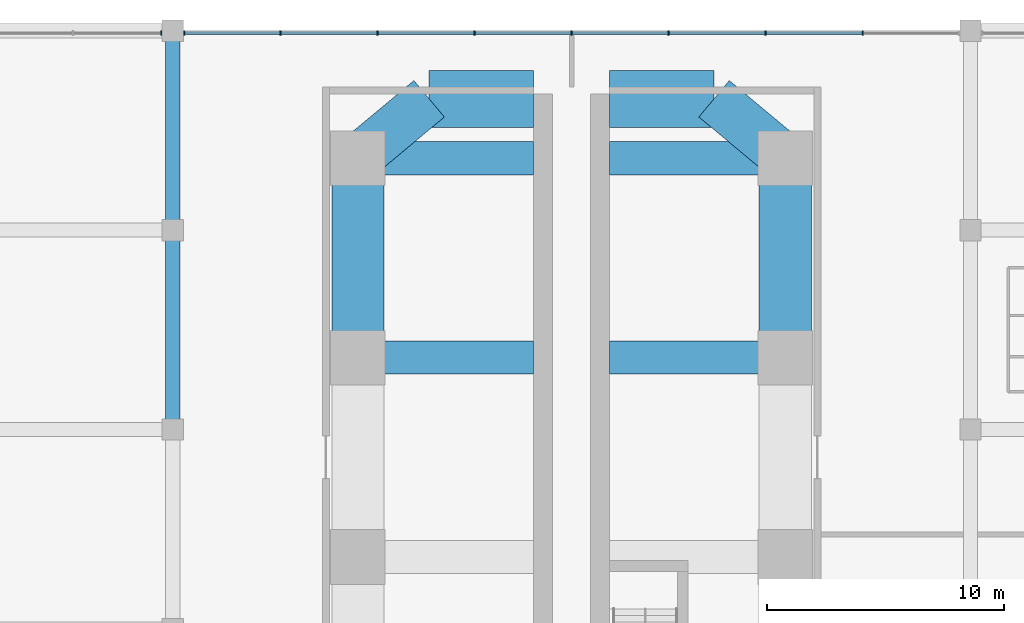
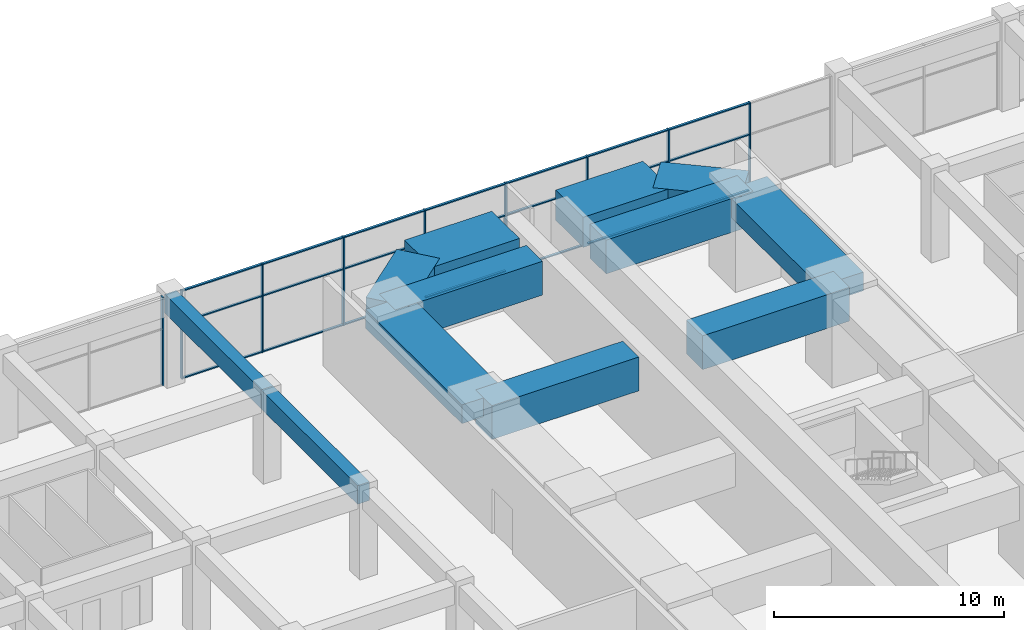
# One storey, part 19 of 34: 30 members, 12 beams, 2 elements without a shape of their own.
"""IFC4 building model written with IfcOpenShell, lengths in metres."""

from ifc_helpers import new_model, si_unit, direction, frame, origin, origin_2d, place, context, subcontext, project, spatial, rectangle, extrude, material, material_profile, profile_set, type_object, element, aggregate, save


model = new_model("IFC4")

# Units and contexts
model_context = context("Model", 3, precision=1e-05, world=origin(), true_north=direction((0.0, 1.0)))
body_context = subcontext(model_context, "Body", "Model", "MODEL_VIEW")
ifc_project = project(units=[si_unit("LENGTHUNIT", "METRE"), si_unit("AREAUNIT", "SQUARE_METRE"), si_unit("VOLUMEUNIT", "CUBIC_METRE"), si_unit("PLANEANGLEUNIT", "RADIAN"), si_unit("MASSUNIT", "GRAM", prefix="KILO")], contexts=[model_context])

# Site, building, storey
site_placement = place(None, origin())
site = spatial("IfcSite", under=ifc_project, at=site_placement, CompositionType="ELEMENT")
building_placement = place(site_placement, origin())
building = spatial("IfcBuilding", under=site, at=building_placement, Name="Impinga Residences", CompositionType="ELEMENT")
storey_placement = place(building_placement, frame((0.0, 0.0, 11.0)))
storey = spatial("IfcBuildingStorey", under=building, at=storey_placement, Name="L02", CompositionType="ELEMENT", Elevation=11.0)

# Beams
ifc_material_1 = material(Name="Concrete C60/75", Category="concrete")
ifc_material_profile_1 = material_profile(ifc_material_1, rectangle(XDim=2.0, YDim=1.60009765625, at=origin_2d()), Name="RC 2000x1600")
ifc_profile_set_1 = profile_set([ifc_material_profile_1], Name="Concrete C60/75")
beam_type_1 = type_object("IfcBeamType", Name="CB2 2000x1600 wing end cantilever beam", PredefinedType="BEAM", material=ifc_profile_set_1)
for number, where, z_axis, x_axis, name in (
    (1, (-9.0, 45.031494140625, 3.89990234375), (0.768221279597, 0.640184399664, 0.0), (-0.640184399664, 0.768221279597, 0.0), "Beam CB2 NB N5-NX level L03"),
    (2, (9.0, 45.031494140625, 3.89990234375), (-0.768221279597, 0.640184399664, 0.0), (-0.640184399664, -0.768221279597, 0.0), "Beam CB2 NE N5-NX level L03"),
):
    element("IfcBeam", number, at=place(storey_placement, frame(where, z_axis=z_axis, x_axis=x_axis)), inside=storey, type_object=beam_type_1, Name=name, PredefinedType="BEAM", context=body_context, shape_type="SweptSolid", body=[
        extrude(rectangle(XDim=2.0, YDim=1.60009765625, at=origin_2d()), origin(), (0.0, 0.0, 1.0), 3.905029296875),
    ])
ifc_material_profile_2 = material_profile(ifc_material_1, rectangle(XDim=1.39990234375, YDim=1.800048828125, at=origin_2d()), Name="RC 1400x1800")
ifc_profile_set_2 = profile_set([ifc_material_profile_2], Name="Concrete C60/75")
beam_type_2 = type_object("IfcBeamType", Name="CG4 1400x1800 cross girder on a wing bay line under the podium floors", PredefinedType="BEAM", material=ifc_profile_set_2)
for number, where, z_axis, x_axis, name in (
    (3, (-1.60009765625, 36.631591796875, 3.800048828125), (-1.0, 0.0, 0.0), (0.0, -1.0, 0.0), "Beam CG4 N4 NC/NA level L03"),
    (4, (-1.60009765625, 45.031494140625, 3.800048828125), (-1.0, 0.0, 0.0), (0.0, -1.0, 0.0), "Beam CG4 N5 NC/NA level L03"),
    (5, (1.60009765625, 36.631591796875, 3.800048828125), (1.0, 0.0, 0.0), (0.0, 1.0, 0.0), "Beam CG4 N4 NC/NF level L03"),
    (6, (1.60009765625, 45.031494140625, 3.800048828125), (1.0, 0.0, 0.0), (0.0, 1.0, 0.0), "Beam CG4 N5 NC/NF level L03"),
):
    element("IfcBeam", number, at=place(storey_placement, frame(where, z_axis=z_axis, x_axis=x_axis)), inside=storey, type_object=beam_type_2, Name=name, PredefinedType="BEAM", context=body_context, shape_type="SweptSolid", body=[
        extrude(rectangle(XDim=1.39990234375, YDim=1.800048828125, at=origin_2d()), origin(), (0.0, 0.0, 1.0), 7.39990234375),
    ])

# Curtain wall, member
ifc_material_2 = material(Name="Aluminium stick curtain wall", Category="aluminium")
curtain_wall_type = type_object("IfcCurtainWallType", Name="CW1 podium amenity curtain wall", PredefinedType="USERDEFINED", material=ifc_material_2)
curtain_wall_1_placement = place(storey_placement, origin())
curtain_wall_1 = element("IfcCurtainWall", 7, at=curtain_wall_1_placement, inside=storey, type_object=curtain_wall_type, Name="Curtain wall CW1 L02", ObjectType="STICK CURTAIN WALL", PredefinedType="USERDEFINED")
ifc_material_3 = material(Name="Aluminium mullion", Category="aluminium")
ifc_material_profile_3 = material_profile(ifc_material_3, rectangle(XDim=0.06005859375, YDim=0.179931640625, at=origin_2d()), Name="60x180 mullion")
ifc_profile_set_3 = profile_set([ifc_material_profile_3], Name="Aluminium mullion")
member_type_1 = type_object("IfcMemberType", Name="CW1-M mullion 60x180", PredefinedType="MULLION", material=ifc_profile_set_3)
member_1_placement = place(storey_placement, frame((-17.282958984375, 50.300048828125, 0.0), z_axis=(0.0, 0.0, 1.0), x_axis=(1.0, 0.0, 0.0)))
member_1 = element("IfcMember", 8, at=member_1_placement, type_object=member_type_1, Name="CW1 mullion 3", PredefinedType="MULLION", context=body_context, shape_type="SweptSolid", body=[
    extrude(rectangle(XDim=0.06005859375, YDim=0.179931640625, at=origin_2d()), origin(), (0.0, 0.0, 1.0), 4.699951171875),
])
aggregate(curtain_wall_1, [member_1])

# Curtain wall, members
curtain_wall_2_placement = place(storey_placement, origin())
curtain_wall_2 = element("IfcCurtainWall", 9, at=curtain_wall_2_placement, inside=storey, type_object=curtain_wall_type, Name="Curtain wall CW1 L02", ObjectType="STICK CURTAIN WALL", PredefinedType="USERDEFINED")
member_2_placement = place(storey_placement, frame((-16.31689453125, 50.300048828125, 0.0), z_axis=(0.0, 0.0, 1.0), x_axis=(1.0, 0.0, 0.0)))
member_2 = element("IfcMember", 10, at=member_2_placement, type_object=member_type_1, Name="CW1 mullion 1", PredefinedType="MULLION", context=body_context, shape_type="SweptSolid", body=[
    extrude(rectangle(XDim=0.06005859375, YDim=0.179931640625, at=origin_2d()), origin(), (0.0, 0.0, 1.0), 4.699951171875),
])
member_3_placement = place(storey_placement, frame((-12.26025390625, 50.300048828125, 0.0), z_axis=(0.0, 0.0, 1.0), x_axis=(1.0, 0.0, 0.0)))
member_3 = element("IfcMember", 11, at=member_3_placement, type_object=member_type_1, Name="CW1 mullion 2", PredefinedType="MULLION", context=body_context, shape_type="SweptSolid", body=[
    extrude(rectangle(XDim=0.06005859375, YDim=0.179931640625, at=origin_2d()), origin(), (0.0, 0.0, 1.0), 4.699951171875),
])
member_4_placement = place(storey_placement, frame((-8.173583984375, 50.300048828125, 0.0), z_axis=(0.0, 0.0, 1.0), x_axis=(1.0, 0.0, 0.0)))
member_4 = element("IfcMember", 12, at=member_4_placement, type_object=member_type_1, Name="CW1 mullion 3", PredefinedType="MULLION", context=body_context, shape_type="SweptSolid", body=[
    extrude(rectangle(XDim=0.06005859375, YDim=0.179931640625, at=origin_2d()), origin(), (0.0, 0.0, 1.0), 4.699951171875),
])
member_5_placement = place(storey_placement, frame((-4.086669921875, 50.300048828125, 0.0), z_axis=(0.0, 0.0, 1.0), x_axis=(1.0, 0.0, 0.0)))
member_5 = element("IfcMember", 13, at=member_5_placement, type_object=member_type_1, Name="CW1 mullion 4", PredefinedType="MULLION", context=body_context, shape_type="SweptSolid", body=[
    extrude(rectangle(XDim=0.06005859375, YDim=0.179931640625, at=origin_2d()), origin(), (0.0, 0.0, 1.0), 4.699951171875),
])
member_6_placement = place(storey_placement, frame((0.0, 50.300048828125, 0.0), z_axis=(0.0, 0.0, 1.0), x_axis=(1.0, 0.0, 0.0)))
member_6 = element("IfcMember", 14, at=member_6_placement, type_object=member_type_1, Name="CW1 mullion 5", PredefinedType="MULLION", context=body_context, shape_type="SweptSolid", body=[
    extrude(rectangle(XDim=0.06005859375, YDim=0.179931640625, at=origin_2d()), origin(), (0.0, 0.0, 1.0), 4.699951171875),
])
member_7_placement = place(storey_placement, frame((4.086669921875, 50.300048828125, 0.0), z_axis=(0.0, 0.0, 1.0), x_axis=(1.0, 0.0, 0.0)))
member_7 = element("IfcMember", 15, at=member_7_placement, type_object=member_type_1, Name="CW1 mullion 6", PredefinedType="MULLION", context=body_context, shape_type="SweptSolid", body=[
    extrude(rectangle(XDim=0.06005859375, YDim=0.179931640625, at=origin_2d()), origin(), (0.0, 0.0, 1.0), 4.699951171875),
])
member_8_placement = place(storey_placement, frame((8.173583984375, 50.300048828125, 0.0), z_axis=(0.0, 0.0, 1.0), x_axis=(1.0, 0.0, 0.0)))
member_8 = element("IfcMember", 16, at=member_8_placement, type_object=member_type_1, Name="CW1 mullion 7", PredefinedType="MULLION", context=body_context, shape_type="SweptSolid", body=[
    extrude(rectangle(XDim=0.06005859375, YDim=0.179931640625, at=origin_2d()), origin(), (0.0, 0.0, 1.0), 4.699951171875),
])
member_9_placement = place(storey_placement, frame((12.26025390625, 50.300048828125, 0.0), z_axis=(0.0, 0.0, 1.0), x_axis=(1.0, 0.0, 0.0)))
member_9 = element("IfcMember", 17, at=member_9_placement, type_object=member_type_1, Name="CW1 mullion 8", PredefinedType="MULLION", context=body_context, shape_type="SweptSolid", body=[
    extrude(rectangle(XDim=0.06005859375, YDim=0.179931640625, at=origin_2d()), origin(), (0.0, 0.0, 1.0), 4.699951171875),
])
ifc_material_4 = material(Name="Aluminium transom", Category="aluminium")
ifc_material_profile_4 = material_profile(ifc_material_4, rectangle(XDim=0.06005859375, YDim=0.1201171875, at=origin_2d()), Name="60x120 transom")
ifc_profile_set_4 = profile_set([ifc_material_profile_4], Name="Aluminium transom")
member_type_2 = type_object("IfcMemberType", Name="CW1-T transom 60x120", PredefinedType="USERDEFINED", material=ifc_profile_set_4)
member_10_placement = place(storey_placement, frame((-16.287109375, 50.300048828125, 0.030029296875), z_axis=(1.0, 0.0, 0.0), x_axis=(0.0, 0.0, 1.0)))
member_10 = element("IfcMember", 18, at=member_10_placement, type_object=member_type_2, Name="CW1 transom 1.1", ObjectType="TRANSOM", PredefinedType="USERDEFINED", context=body_context, shape_type="SweptSolid", body=[
    extrude(rectangle(XDim=0.06005859375, YDim=0.1201171875, at=origin_2d()), origin(), (0.0, 0.0, 1.0), 3.996826171875),
])
member_11_placement = place(storey_placement, frame((-16.287109375, 50.300048828125, 3.0), z_axis=(1.0, 0.0, 0.0), x_axis=(0.0, 0.0, 1.0)))
member_11 = element("IfcMember", 19, at=member_11_placement, type_object=member_type_2, Name="CW1 transom 1.2", ObjectType="TRANSOM", PredefinedType="USERDEFINED", context=body_context, shape_type="SweptSolid", body=[
    extrude(rectangle(XDim=0.06005859375, YDim=0.1201171875, at=origin_2d()), origin(), (0.0, 0.0, 1.0), 3.996826171875),
])
member_12_placement = place(storey_placement, frame((-16.287109375, 50.300048828125, 4.669921875), z_axis=(1.0, 0.0, 0.0), x_axis=(0.0, 0.0, 1.0)))
member_12 = element("IfcMember", 20, at=member_12_placement, type_object=member_type_2, Name="CW1 transom 1.3", ObjectType="TRANSOM", PredefinedType="USERDEFINED", context=body_context, shape_type="SweptSolid", body=[
    extrude(rectangle(XDim=0.06005859375, YDim=0.1201171875, at=origin_2d()), origin(), (0.0, 0.0, 1.0), 3.996826171875),
])
member_13_placement = place(storey_placement, frame((-12.230224609375, 50.300048828125, 0.030029296875), z_axis=(1.0, 0.0, 0.0), x_axis=(0.0, 0.0, 1.0)))
member_13 = element("IfcMember", 21, at=member_13_placement, type_object=member_type_2, Name="CW1 transom 2.1", ObjectType="TRANSOM", PredefinedType="USERDEFINED", context=body_context, shape_type="SweptSolid", body=[
    extrude(rectangle(XDim=0.06005859375, YDim=0.1201171875, at=origin_2d()), origin(), (0.0, 0.0, 1.0), 4.026611328125),
])
member_14_placement = place(storey_placement, frame((-12.230224609375, 50.300048828125, 3.0), z_axis=(1.0, 0.0, 0.0), x_axis=(0.0, 0.0, 1.0)))
member_14 = element("IfcMember", 22, at=member_14_placement, type_object=member_type_2, Name="CW1 transom 2.2", ObjectType="TRANSOM", PredefinedType="USERDEFINED", context=body_context, shape_type="SweptSolid", body=[
    extrude(rectangle(XDim=0.06005859375, YDim=0.1201171875, at=origin_2d()), origin(), (0.0, 0.0, 1.0), 4.026611328125),
])
member_15_placement = place(storey_placement, frame((-12.230224609375, 50.300048828125, 4.669921875), z_axis=(1.0, 0.0, 0.0), x_axis=(0.0, 0.0, 1.0)))
member_15 = element("IfcMember", 23, at=member_15_placement, type_object=member_type_2, Name="CW1 transom 2.3", ObjectType="TRANSOM", PredefinedType="USERDEFINED", context=body_context, shape_type="SweptSolid", body=[
    extrude(rectangle(XDim=0.06005859375, YDim=0.1201171875, at=origin_2d()), origin(), (0.0, 0.0, 1.0), 4.026611328125),
])
member_16_placement = place(storey_placement, frame((-8.1435546875, 50.300048828125, 0.030029296875), z_axis=(1.0, 0.0, 0.0), x_axis=(0.0, 0.0, 1.0)))
member_16 = element("IfcMember", 24, at=member_16_placement, type_object=member_type_2, Name="CW1 transom 3.1", ObjectType="TRANSOM", PredefinedType="USERDEFINED", context=body_context, shape_type="SweptSolid", body=[
    extrude(rectangle(XDim=0.06005859375, YDim=0.1201171875, at=origin_2d()), origin(), (0.0, 0.0, 1.0), 4.02685546875),
])
member_17_placement = place(storey_placement, frame((-8.1435546875, 50.300048828125, 3.0), z_axis=(1.0, 0.0, 0.0), x_axis=(0.0, 0.0, 1.0)))
member_17 = element("IfcMember", 25, at=member_17_placement, type_object=member_type_2, Name="CW1 transom 3.2", ObjectType="TRANSOM", PredefinedType="USERDEFINED", context=body_context, shape_type="SweptSolid", body=[
    extrude(rectangle(XDim=0.06005859375, YDim=0.1201171875, at=origin_2d()), origin(), (0.0, 0.0, 1.0), 4.02685546875),
])
member_18_placement = place(storey_placement, frame((-8.1435546875, 50.300048828125, 4.669921875), z_axis=(1.0, 0.0, 0.0), x_axis=(0.0, 0.0, 1.0)))
member_18 = element("IfcMember", 26, at=member_18_placement, type_object=member_type_2, Name="CW1 transom 3.3", ObjectType="TRANSOM", PredefinedType="USERDEFINED", context=body_context, shape_type="SweptSolid", body=[
    extrude(rectangle(XDim=0.06005859375, YDim=0.1201171875, at=origin_2d()), origin(), (0.0, 0.0, 1.0), 4.02685546875),
])
member_19_placement = place(storey_placement, frame((-4.056640625, 50.300048828125, 0.030029296875), z_axis=(1.0, 0.0, 0.0), x_axis=(0.0, 0.0, 1.0)))
member_19 = element("IfcMember", 27, at=member_19_placement, type_object=member_type_2, Name="CW1 transom 4.1", ObjectType="TRANSOM", PredefinedType="USERDEFINED", context=body_context, shape_type="SweptSolid", body=[
    extrude(rectangle(XDim=0.06005859375, YDim=0.1201171875, at=origin_2d()), origin(), (0.0, 0.0, 1.0), 4.026611328125),
])
member_20_placement = place(storey_placement, frame((-4.056640625, 50.300048828125, 3.0), z_axis=(1.0, 0.0, 0.0), x_axis=(0.0, 0.0, 1.0)))
member_20 = element("IfcMember", 28, at=member_20_placement, type_object=member_type_2, Name="CW1 transom 4.2", ObjectType="TRANSOM", PredefinedType="USERDEFINED", context=body_context, shape_type="SweptSolid", body=[
    extrude(rectangle(XDim=0.06005859375, YDim=0.1201171875, at=origin_2d()), origin(), (0.0, 0.0, 1.0), 4.026611328125),
])
member_21_placement = place(storey_placement, frame((-4.056640625, 50.300048828125, 4.669921875), z_axis=(1.0, 0.0, 0.0), x_axis=(0.0, 0.0, 1.0)))
member_21 = element("IfcMember", 29, at=member_21_placement, type_object=member_type_2, Name="CW1 transom 4.3", ObjectType="TRANSOM", PredefinedType="USERDEFINED", context=body_context, shape_type="SweptSolid", body=[
    extrude(rectangle(XDim=0.06005859375, YDim=0.1201171875, at=origin_2d()), origin(), (0.0, 0.0, 1.0), 4.026611328125),
])
member_22_placement = place(storey_placement, frame((0.030029296875, 50.300048828125, 0.030029296875), z_axis=(1.0, 0.0, 0.0), x_axis=(0.0, 0.0, 1.0)))
member_22 = element("IfcMember", 30, at=member_22_placement, type_object=member_type_2, Name="CW1 transom 5.1", ObjectType="TRANSOM", PredefinedType="USERDEFINED", context=body_context, shape_type="SweptSolid", body=[
    extrude(rectangle(XDim=0.06005859375, YDim=0.1201171875, at=origin_2d()), origin(), (0.0, 0.0, 1.0), 4.026611328125),
])
member_23_placement = place(storey_placement, frame((0.030029296875, 50.300048828125, 3.0), z_axis=(1.0, 0.0, 0.0), x_axis=(0.0, 0.0, 1.0)))
member_23 = element("IfcMember", 31, at=member_23_placement, type_object=member_type_2, Name="CW1 transom 5.2", ObjectType="TRANSOM", PredefinedType="USERDEFINED", context=body_context, shape_type="SweptSolid", body=[
    extrude(rectangle(XDim=0.06005859375, YDim=0.1201171875, at=origin_2d()), origin(), (0.0, 0.0, 1.0), 4.026611328125),
])
member_24_placement = place(storey_placement, frame((0.030029296875, 50.300048828125, 4.669921875), z_axis=(1.0, 0.0, 0.0), x_axis=(0.0, 0.0, 1.0)))
member_24 = element("IfcMember", 32, at=member_24_placement, type_object=member_type_2, Name="CW1 transom 5.3", ObjectType="TRANSOM", PredefinedType="USERDEFINED", context=body_context, shape_type="SweptSolid", body=[
    extrude(rectangle(XDim=0.06005859375, YDim=0.1201171875, at=origin_2d()), origin(), (0.0, 0.0, 1.0), 4.026611328125),
])
member_25_placement = place(storey_placement, frame((4.11669921875, 50.300048828125, 0.030029296875), z_axis=(1.0, 0.0, 0.0), x_axis=(0.0, 0.0, 1.0)))
member_25 = element("IfcMember", 33, at=member_25_placement, type_object=member_type_2, Name="CW1 transom 6.1", ObjectType="TRANSOM", PredefinedType="USERDEFINED", context=body_context, shape_type="SweptSolid", body=[
    extrude(rectangle(XDim=0.06005859375, YDim=0.1201171875, at=origin_2d()), origin(), (0.0, 0.0, 1.0), 4.02685546875),
])
member_26_placement = place(storey_placement, frame((4.11669921875, 50.300048828125, 3.0), z_axis=(1.0, 0.0, 0.0), x_axis=(0.0, 0.0, 1.0)))
member_26 = element("IfcMember", 34, at=member_26_placement, type_object=member_type_2, Name="CW1 transom 6.2", ObjectType="TRANSOM", PredefinedType="USERDEFINED", context=body_context, shape_type="SweptSolid", body=[
    extrude(rectangle(XDim=0.06005859375, YDim=0.1201171875, at=origin_2d()), origin(), (0.0, 0.0, 1.0), 4.02685546875),
])
member_27_placement = place(storey_placement, frame((4.11669921875, 50.300048828125, 4.669921875), z_axis=(1.0, 0.0, 0.0), x_axis=(0.0, 0.0, 1.0)))
member_27 = element("IfcMember", 35, at=member_27_placement, type_object=member_type_2, Name="CW1 transom 6.3", ObjectType="TRANSOM", PredefinedType="USERDEFINED", context=body_context, shape_type="SweptSolid", body=[
    extrude(rectangle(XDim=0.06005859375, YDim=0.1201171875, at=origin_2d()), origin(), (0.0, 0.0, 1.0), 4.02685546875),
])
member_28_placement = place(storey_placement, frame((8.20361328125, 50.300048828125, 0.030029296875), z_axis=(1.0, 0.0, 0.0), x_axis=(0.0, 0.0, 1.0)))
member_28 = element("IfcMember", 36, at=member_28_placement, type_object=member_type_2, Name="CW1 transom 7.1", ObjectType="TRANSOM", PredefinedType="USERDEFINED", context=body_context, shape_type="SweptSolid", body=[
    extrude(rectangle(XDim=0.06005859375, YDim=0.1201171875, at=origin_2d()), origin(), (0.0, 0.0, 1.0), 4.026611328125),
])
member_29_placement = place(storey_placement, frame((8.20361328125, 50.300048828125, 3.0), z_axis=(1.0, 0.0, 0.0), x_axis=(0.0, 0.0, 1.0)))
member_29 = element("IfcMember", 37, at=member_29_placement, type_object=member_type_2, Name="CW1 transom 7.2", ObjectType="TRANSOM", PredefinedType="USERDEFINED", context=body_context, shape_type="SweptSolid", body=[
    extrude(rectangle(XDim=0.06005859375, YDim=0.1201171875, at=origin_2d()), origin(), (0.0, 0.0, 1.0), 4.026611328125),
])
member_30_placement = place(storey_placement, frame((8.20361328125, 50.300048828125, 4.669921875), z_axis=(1.0, 0.0, 0.0), x_axis=(0.0, 0.0, 1.0)))
member_30 = element("IfcMember", 38, at=member_30_placement, type_object=member_type_2, Name="CW1 transom 7.3", ObjectType="TRANSOM", PredefinedType="USERDEFINED", context=body_context, shape_type="SweptSolid", body=[
    extrude(rectangle(XDim=0.06005859375, YDim=0.1201171875, at=origin_2d()), origin(), (0.0, 0.0, 1.0), 4.026611328125),
])
aggregate(curtain_wall_2, [member_2, member_3, member_4, member_5, member_6, member_7, member_8, member_9, member_10, member_11, member_12, member_13, member_14, member_15, member_16, member_17, member_18, member_19, member_20, member_21, member_22, member_23, member_24, member_25, member_26, member_27, member_28, member_29, member_30])

# Beams
ifc_material_profile_5 = material_profile(ifc_material_1, rectangle(XDim=2.39990234375, YDim=1.60009765625, at=origin_2d()), Name="RC 2400x1600")
ifc_profile_set_5 = profile_set([ifc_material_profile_5], Name="Concrete C60/75")
beam_type_3 = type_object("IfcBeamType", Name="EB2 2400x1600 wing end beam", PredefinedType="BEAM", material=ifc_profile_set_5)
for number, where, z_axis, x_axis, name in (
    (39, (-6.0, 47.531494140625, 3.89990234375), (1.0, 0.0, 0.0), (0.0, 1.0, 0.0), "Beam EB2 NX4 level L03"),
    (40, (1.60009765625, 47.531494140625, 3.89990234375), (1.0, 0.0, 0.0), (0.0, 1.0, 0.0), "Beam EB2 NX4 level L03"),
):
    element("IfcBeam", number, at=place(storey_placement, frame(where, z_axis=z_axis, x_axis=x_axis)), inside=storey, type_object=beam_type_3, Name=name, PredefinedType="BEAM", context=body_context, shape_type="SweptSolid", body=[
        extrude(rectangle(XDim=2.39990234375, YDim=1.60009765625, at=origin_2d()), origin(), (0.0, 0.0, 1.0), 4.39990234375),
    ])
ifc_material_profile_6 = material_profile(ifc_material_1, rectangle(XDim=0.60009765625, YDim=1.0, at=origin_2d()), Name="RC 600x1000")
ifc_profile_set_6 = profile_set([ifc_material_profile_6], Name="Concrete C60/75")
beam_type_4 = type_object("IfcBeamType", Name="PB2 600x1000 podium beam", PredefinedType="BEAM", material=ifc_profile_set_6)
for number, where, z_axis, x_axis, name in (
    (41, (-16.800048828125, 33.60009765625, 4.199951171875), (0.0, 1.0, 0.0), (-1.0, 0.0, 0.0), "Beam PB2 5/K-L level L03"),
    (42, (-16.800048828125, 42.0, 4.199951171875), (0.0, 1.0, 0.0), (-1.0, 0.0, 0.0), "Beam PB2 5/L-M level L03"),
):
    element("IfcBeam", number, at=place(storey_placement, frame(where, z_axis=z_axis, x_axis=x_axis)), inside=storey, type_object=beam_type_4, Name=name, PredefinedType="BEAM", context=body_context, shape_type="SweptSolid", body=[
        extrude(rectangle(XDim=0.60009765625, YDim=1.0, at=origin_2d()), origin(), (0.0, 0.0, 1.0), 8.39990234375),
    ])
ifc_material_profile_7 = material_profile(ifc_material_1, rectangle(XDim=2.199951171875, YDim=1.0, at=origin_2d()), Name="RC 2200x1000")
ifc_profile_set_7 = profile_set([ifc_material_profile_7], Name="Concrete C60/75")
beam_type_5 = type_object("IfcBeamType", Name="PB3 2200x1000 podium band beam", PredefinedType="BEAM", material=ifc_profile_set_7)
for number, where, z_axis, x_axis, name in (
    (43, (-9.0, 36.631591796875, 4.199951171875), (0.0, 1.0, 0.0), (-1.0, 0.0, 0.0), "Beam PB3 NA N4-N5 level L03"),
    (44, (9.0, 36.631591796875, 4.199951171875), (0.0, 1.0, 0.0), (-1.0, 0.0, 0.0), "Beam PB3 NF N4-N5 level L03"),
):
    element("IfcBeam", number, at=place(storey_placement, frame(where, z_axis=z_axis, x_axis=x_axis)), inside=storey, type_object=beam_type_5, Name=name, PredefinedType="BEAM", context=body_context, shape_type="SweptSolid", body=[
        extrude(rectangle(XDim=2.199951171875, YDim=1.0, at=origin_2d()), origin(), (0.0, 0.0, 1.0), 8.39990234375),
    ])

save(model, "model.ifc")
